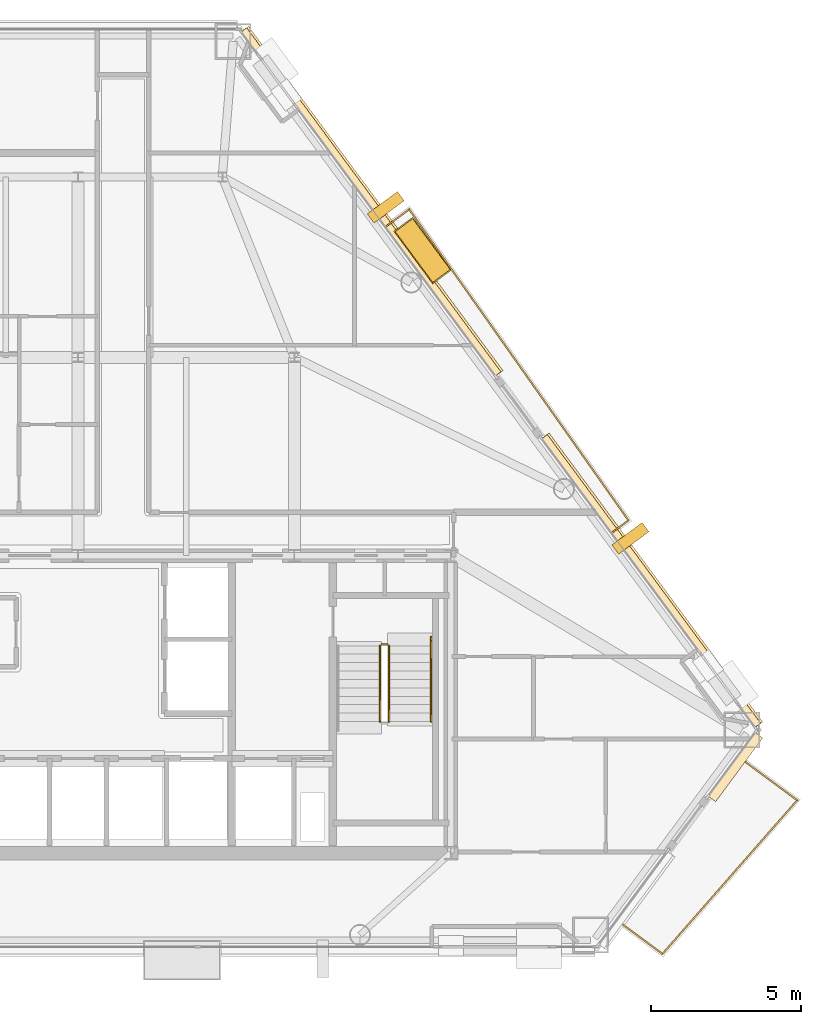
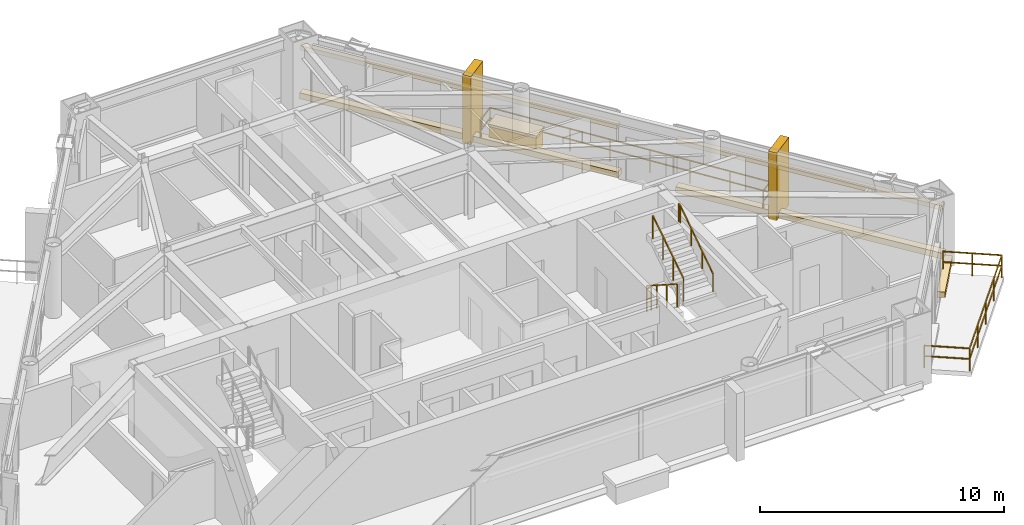
# One storey, part 13 of 13: 9 coverings, 6 railings.
"""IFC4 building model written with IfcOpenShell, lengths in metres."""

from ifc_helpers import new_model, si_unit, direction, frame, origin, origin_2d, place, context, subcontext, project, spatial, rectangle, extrude, material, layer, layer_set, type_object, element, save


model = new_model("IFC4")

# Units and contexts
model_context = context("Model", 3, precision=1e-05, world=origin(), true_north=direction((0.0, 1.0)))
body_context = subcontext(model_context, "Body", "Model", "MODEL_VIEW")
ifc_project = project(units=[si_unit("LENGTHUNIT", "METRE"), si_unit("AREAUNIT", "SQUARE_METRE"), si_unit("VOLUMEUNIT", "CUBIC_METRE"), si_unit("PLANEANGLEUNIT", "RADIAN"), si_unit("MASSUNIT", "GRAM", prefix="KILO")], contexts=[model_context])

# Site, building, storey
site_placement = place(None, origin())
site = spatial("IfcSite", under=ifc_project, at=site_placement, CompositionType="ELEMENT")
building_placement = place(site_placement, origin())
building = spatial("IfcBuilding", under=site, at=building_placement, Name="Talgorran Terracotta Tower", CompositionType="ELEMENT")
storey_placement = place(building_placement, frame((0.0, 0.0, 132.89990234375)))
storey = spatial("IfcBuildingStorey", under=building, at=storey_placement, Name="L34", CompositionType="ELEMENT", Elevation=132.89990234375)

# Coverings
ifc_material_1 = material(Name="Kiln-Fired Terracotta Ochre Ceramic", Category="masonry")
ifc_layer_1 = layer(ifc_material_1, 0.179931640625, Name="COV_BAGUETTE_TERRACOTTA_SCREEN")
ifc_layer_set_1 = layer_set([ifc_layer_1], Name="Kiln-Fired Terracotta Ochre Ceramic")
covering_type_1 = type_object("IfcCoveringType", Name="COV_BAGUETTE_TERRACOTTA_SCREEN", PredefinedType="CLADDING", material=ifc_layer_set_1)
covering_1_placement = place(storey_placement, frame((19.060546875, -5.05126953125, 2.41015625), z_axis=(0.0, 0.0, 1.0), x_axis=(-0.594359699802, 0.804199320598, 0.0)))
element("IfcCovering", 1, at=covering_1_placement, inside=storey, type_object=covering_type_1, Name="L34 Terracotta Baguette Solar Screen Assembly F40", PredefinedType="CLADDING", context=body_context, shape_type="SweptSolid", body=[
    extrude(rectangle(XDim=11.939697265625, YDim=0.260009765625, at=origin_2d()), origin(), (0.0, 0.0, 1.0), 0.219970703125),
])
covering_2_placement = place(storey_placement, frame((9.738037109375, 7.5625, 2.41015625), z_axis=(0.0, 0.0, 1.0), x_axis=(-0.594359699802, 0.804199320598, 0.0)))
element("IfcCovering", 2, at=covering_2_placement, inside=storey, type_object=covering_type_1, Name="L34 Terracotta Baguette Solar Screen Assembly F41", PredefinedType="CLADDING", context=body_context, shape_type="SweptSolid", body=[
    extrude(rectangle(XDim=14.230224609375, YDim=0.260009765625, at=origin_2d()), origin(), (0.0, 0.0, 1.0), 0.219970703125),
])
ifc_material_2 = material(Name="Honed Limestone and Terracotta Planter", Category="masonry")
ifc_layer_2 = layer(ifc_material_2, 0.1201171875, Name="COV_PLANTER_BOX")
ifc_layer_set_2 = layer_set([ifc_layer_2], Name="Honed Limestone and Terracotta Planter")
covering_type_2 = type_object("IfcCoveringType", Name="COV_PLANTER_BOX", PredefinedType="CLADDING", material=ifc_layer_set_2)
covering_3_placement = place(storey_placement, frame((11.46875, 5.95263671875, -0.02001953125), z_axis=(0.0, 0.0, 1.0), x_axis=(-0.594359699802, 0.804199320598, 0.0)))
element("IfcCovering", 3, at=covering_3_placement, inside=storey, type_object=covering_type_2, Name="L34 Staggered Balcony Planter Box BAL-NE", PredefinedType="CLADDING", context=body_context, shape_type="SweptSolid", body=[
    extrude(rectangle(XDim=2.10009765625, YDim=0.719970703125, at=origin_2d()), origin(), (0.0, 0.0, 1.0), 0.860107421875),
])
ifc_material_3 = material(Name="Kiln-Fired Terracotta Planter Rim", Category="masonry")
ifc_layer_3 = layer(ifc_material_3, 0.10009765625, Name="COV_PLANTER_RIM")
ifc_layer_set_3 = layer_set([ifc_layer_3], Name="Kiln-Fired Terracotta Planter Rim")
covering_type_3 = type_object("IfcCoveringType", Name="COV_PLANTER_RIM", PredefinedType="CLADDING", material=ifc_layer_set_3)
covering_4_placement = place(storey_placement, frame((11.46875, 5.95263671875, 0.800048828125), z_axis=(0.0, 0.0, 1.0), x_axis=(-0.594359699802, 0.804199320598, 0.0)))
element("IfcCovering", 4, at=covering_4_placement, inside=storey, type_object=covering_type_3, Name="L34 Balcony Planter Terracotta Rim BAL-NE", PredefinedType="CLADDING", context=body_context, shape_type="SweptSolid", body=[
    extrude(rectangle(XDim=2.179931640625, YDim=0.780029296875, at=origin_2d()), origin(), (0.0, 0.0, 1.0), 0.1201171875),
])
ifc_material_4 = material(Name="Honed Limestone Cladding", Category="masonry")
ifc_layer_4 = layer(ifc_material_4, 0.094970703125, Name="COV_PORTAL_LIME")
ifc_layer_set_4 = layer_set([ifc_layer_4], Name="Honed Limestone Cladding")
covering_type_4 = type_object("IfcCoveringType", Name="COV_PORTAL_LIME", PredefinedType="CLADDING", material=ifc_layer_set_4)
covering_5_placement = place(storey_placement, frame((21.863037109375, -11.224365234375, -0.0400390625), z_axis=(0.0, 0.0, 1.0), x_axis=(0.594373735638, 0.804188946942, 0.0)))
element("IfcCovering", 5, at=covering_5_placement, inside=storey, type_object=covering_type_4, Name="L34 Striped Postmodern Portal Cladding Band F31", PredefinedType="CLADDING", context=body_context, shape_type="SweptSolid", body=[
    extrude(rectangle(XDim=2.63720703125, YDim=0.340087890625, at=origin_2d()), origin(), (0.0, 0.0, 1.0), 0.300048828125),
])
covering_6_placement = place(storey_placement, frame((19.0927734375, -5.027587890625, -0.0400390625), z_axis=(0.0, 0.0, 1.0), x_axis=(-0.594359699802, 0.804199320598, 0.0)))
element("IfcCovering", 6, at=covering_6_placement, inside=storey, type_object=covering_type_4, Name="L34 Striped Postmodern Portal Cladding Band F40", PredefinedType="CLADDING", context=body_context, shape_type="SweptSolid", body=[
    extrude(rectangle(XDim=11.959716796875, YDim=0.340087890625, at=origin_2d()), origin(), (0.0, 0.0, 1.0), 0.300048828125),
])
covering_7_placement = place(storey_placement, frame((9.770263671875, 7.586181640625, -0.0400390625), z_axis=(0.0, 0.0, 1.0), x_axis=(-0.594359699802, 0.804199320598, 0.0)))
element("IfcCovering", 7, at=covering_7_placement, inside=storey, type_object=covering_type_4, Name="L34 Striped Postmodern Portal Cladding Band F41", PredefinedType="CLADDING", context=body_context, shape_type="SweptSolid", body=[
    extrude(rectangle(XDim=14.250244140625, YDim=0.340087890625, at=origin_2d()), origin(), (0.0, 0.0, 1.0), 0.300048828125),
])
covering_8_placement = place(storey_placement, frame((10.238525390625, 7.389892578125, -0.0498046875), z_axis=(0.0, 0.0, 1.0), x_axis=(-0.594359699802, 0.804199320598, 0.0)))
element("IfcCovering", 8, at=covering_8_placement, inside=storey, type_object=covering_type_4, Name="L34 White Striped Portal Fin F3-2", PredefinedType="CLADDING", context=body_context, shape_type="SweptSolid", body=[
    extrude(rectangle(XDim=0.3798828125, YDim=1.25, at=origin_2d()), origin(), (0.0, 0.0, 1.0), 3.39990234375),
])
ifc_material_5 = material(Name="Kiln-Fired Terracotta Cladding", Category="masonry")
ifc_layer_5 = layer(ifc_material_5, 0.090087890625, Name="COV_PORTAL_TERRA")
ifc_layer_set_5 = layer_set([ifc_layer_5], Name="Kiln-Fired Terracotta Cladding")
covering_type_5 = type_object("IfcCoveringType", Name="COV_PORTAL_TERRA", PredefinedType="CLADDING", material=ifc_layer_set_5)
covering_9_placement = place(storey_placement, frame((18.37841796875, -3.623779296875, -0.0498046875), z_axis=(0.0, 0.0, 1.0), x_axis=(-0.594359699802, 0.804199320598, 0.0)))
element("IfcCovering", 9, at=covering_9_placement, inside=storey, type_object=covering_type_5, Name="L34 Terracotta Striped Portal Fin F3-1", PredefinedType="CLADDING", context=body_context, shape_type="SweptSolid", body=[
    extrude(rectangle(XDim=0.3798828125, YDim=1.25, at=origin_2d()), origin(), (0.0, 0.0, 1.0), 3.39990234375),
])

# Railings
ifc_material_6 = material(Name="Laminated Glass and Stainless Steel 316", Category="steel")
railing_type_1 = type_object("IfcRailingType", Name="RL_BALCONY_1150", PredefinedType="BALUSTRADE", material=ifc_material_6)
railing_1_placement = place(storey_placement, frame((17.765625, -3.433837890625, 0.0)))
element("IfcRailing", 10, at=railing_1_placement, inside=storey, type_object=railing_type_1, Name="RL-L34-BAL-BAL-NE", PredefinedType="BALUSTRADE", context=body_context, shape_type="SweptSolid", body=[
    extrude(rectangle(XDim=0.048095703125, YDim=0.048095703125, at=origin_2d()), frame((0.0, 0.0, 1.1259765625), z_axis=(0.804257631428, 0.594280794145, 0.0), x_axis=(-0.594280794145, 0.804257631428, 0.0)), (0.0, 0.0, 1.0), 0.684814453125),
    extrude(rectangle(XDim=0.048095703125, YDim=0.048095703125, at=origin_2d()), frame((0.0, 0.0, 0.597900390625), z_axis=(0.804257631428, 0.594280794145, 0.0), x_axis=(-0.594280794145, 0.804257631428, 0.0)), (0.0, 0.0, 1.0), 0.684814453125),
    extrude(rectangle(XDim=0.048095703125, YDim=0.048095703125, at=origin_2d()), frame((0.55078125, 0.406982421875, 1.1259765625), z_axis=(-0.576247164836, 0.817275476824, 0.0), x_axis=(-0.817275476824, -0.576247164836, 0.0)), (0.0, 0.0, 1.0), 12.66455078125),
    extrude(rectangle(XDim=0.048095703125, YDim=0.048095703125, at=origin_2d()), frame((0.55078125, 0.406982421875, 0.597900390625), z_axis=(-0.576247164836, 0.817275476824, 0.0), x_axis=(-0.817275476824, -0.576247164836, 0.0)), (0.0, 0.0, 1.0), 12.66455078125),
    extrude(rectangle(XDim=0.048095703125, YDim=0.048095703125, at=origin_2d()), frame((-6.7470703125, 10.75732421875, 1.1259765625), z_axis=(-0.804218080691, -0.594334315592, 0.0), x_axis=(0.594334315592, -0.804218080691, 0.0)), (0.0, 0.0, 1.0), 0.9677734375),
    extrude(rectangle(XDim=0.048095703125, YDim=0.048095703125, at=origin_2d()), frame((-6.7470703125, 10.75732421875, 0.597900390625), z_axis=(-0.804218080691, -0.594334315592, 0.0), x_axis=(0.594334315592, -0.804218080691, 0.0)), (0.0, 0.0, 1.0), 0.9677734375),
    extrude(rectangle(XDim=0.0419921875, YDim=0.0419921875, at=origin_2d()), origin(), (0.0, 0.0, 1.0), 1.101806640625),
    extrude(rectangle(XDim=0.0419921875, YDim=0.0419921875, at=origin_2d()), frame((0.55078125, 0.406982421875, 0.0)), (0.0, 0.0, 1.0), 1.101806640625),
    extrude(rectangle(XDim=0.0419921875, YDim=0.0419921875, at=origin_2d()), frame((-0.49169921875, 1.885498046875, 0.0)), (0.0, 0.0, 1.0), 1.101806640625),
    extrude(rectangle(XDim=0.0419921875, YDim=0.0419921875, at=origin_2d()), frame((-1.534423828125, 3.3642578125, 0.0)), (0.0, 0.0, 1.0), 1.101806640625),
    extrude(rectangle(XDim=0.0419921875, YDim=0.0419921875, at=origin_2d()), frame((-2.576904296875, 4.8427734375, 0.0)), (0.0, 0.0, 1.0), 1.101806640625),
    extrude(rectangle(XDim=0.0419921875, YDim=0.0419921875, at=origin_2d()), frame((-3.619384765625, 6.321533203125, 0.0)), (0.0, 0.0, 1.0), 1.101806640625),
    extrude(rectangle(XDim=0.0419921875, YDim=0.0419921875, at=origin_2d()), frame((-4.661865234375, 7.800048828125, 0.0)), (0.0, 0.0, 1.0), 1.101806640625),
    extrude(rectangle(XDim=0.0419921875, YDim=0.0419921875, at=origin_2d()), frame((-5.70458984375, 9.27880859375, 0.0)), (0.0, 0.0, 1.0), 1.101806640625),
    extrude(rectangle(XDim=0.0419921875, YDim=0.0419921875, at=origin_2d()), frame((-6.7470703125, 10.75732421875, 0.0)), (0.0, 0.0, 1.0), 1.101806640625),
    extrude(rectangle(XDim=0.0419921875, YDim=0.0419921875, at=origin_2d()), frame((-7.525390625, 10.18212890625, 0.0)), (0.0, 0.0, 1.0), 1.101806640625),
])
railing_2_placement = place(storey_placement, frame((17.93701171875, -16.33447265625, 0.0)))
element("IfcRailing", 11, at=railing_2_placement, inside=storey, type_object=railing_type_1, Name="RL-L34-BAL-BAL-SE", PredefinedType="BALUSTRADE", context=body_context, shape_type="SweptSolid", body=[
    extrude(rectangle(XDim=0.048095703125, YDim=0.048095703125, at=origin_2d()), frame((0.0, 0.0, 1.1259765625), z_axis=(0.804192351685, -0.594369128986, 0.0), x_axis=(0.594369128986, 0.804192351685, 0.0)), (0.0, 0.0, 1.0), 1.8779296875),
    extrude(rectangle(XDim=0.048095703125, YDim=0.048095703125, at=origin_2d()), frame((0.0, 0.0, 0.597900390625), z_axis=(0.804192351685, -0.594369128986, 0.0), x_axis=(0.594369128986, 0.804192351685, 0.0)), (0.0, 0.0, 1.0), 1.8779296875),
    extrude(rectangle(XDim=0.048095703125, YDim=0.048095703125, at=origin_2d()), frame((1.51025390625, -1.1162109375, 1.1259765625), z_axis=(0.659170403029, 0.751993603543, 0.0), x_axis=(-0.751993603543, 0.659170403029, 0.0)), (0.0, 0.0, 1.0), 6.799072265625),
    extrude(rectangle(XDim=0.048095703125, YDim=0.048095703125, at=origin_2d()), frame((1.51025390625, -1.1162109375, 0.597900390625), z_axis=(0.659170403029, 0.751993603543, 0.0), x_axis=(-0.751993603543, 0.659170403029, 0.0)), (0.0, 0.0, 1.0), 6.799072265625),
    extrude(rectangle(XDim=0.048095703125, YDim=0.048095703125, at=origin_2d()), frame((5.991943359375, 3.99658203125, 1.1259765625), z_axis=(-0.804201061075, 0.59435734484, 0.0), x_axis=(-0.59435734484, -0.804201061075, 0.0)), (0.0, 0.0, 1.0), 2.443115234375),
    extrude(rectangle(XDim=0.048095703125, YDim=0.048095703125, at=origin_2d()), frame((5.991943359375, 3.99658203125, 0.597900390625), z_axis=(-0.804201061075, 0.59435734484, 0.0), x_axis=(-0.59435734484, -0.804201061075, 0.0)), (0.0, 0.0, 1.0), 2.443115234375),
    extrude(rectangle(XDim=0.0419921875, YDim=0.0419921875, at=origin_2d()), origin(), (0.0, 0.0, 1.0), 1.101806640625),
    extrude(rectangle(XDim=0.0419921875, YDim=0.0419921875, at=origin_2d()), frame((1.51025390625, -1.1162109375, 0.0)), (0.0, 0.0, 1.0), 1.101806640625),
    extrude(rectangle(XDim=0.0419921875, YDim=0.0419921875, at=origin_2d()), frame((2.630615234375, 0.162109375, 0.0)), (0.0, 0.0, 1.0), 1.101806640625),
    extrude(rectangle(XDim=0.0419921875, YDim=0.0419921875, at=origin_2d()), frame((3.7509765625, 1.440185546875, 0.0)), (0.0, 0.0, 1.0), 1.101806640625),
    extrude(rectangle(XDim=0.0419921875, YDim=0.0419921875, at=origin_2d()), frame((4.87158203125, 2.71826171875, 0.0)), (0.0, 0.0, 1.0), 1.101806640625),
    extrude(rectangle(XDim=0.0419921875, YDim=0.0419921875, at=origin_2d()), frame((5.991943359375, 3.99658203125, 0.0)), (0.0, 0.0, 1.0), 1.101806640625),
    extrude(rectangle(XDim=0.0419921875, YDim=0.0419921875, at=origin_2d()), frame((5.009521484375, 4.72265625, 0.0)), (0.0, 0.0, 1.0), 1.101806640625),
    extrude(rectangle(XDim=0.0419921875, YDim=0.0419921875, at=origin_2d()), frame((4.027099609375, 5.44873046875, 0.0)), (0.0, 0.0, 1.0), 1.101806640625),
])
ifc_material_7 = material(Name="Steel S355 (300PLUS)", Category="steel")
railing_type_2 = type_object("IfcRailingType", Name="RL_HANDRAIL_920", PredefinedType="HANDRAIL", material=ifc_material_7)
railing_3_placement = place(storey_placement, frame((11.75, -9.719970703125, 1.97998046875)))
element("IfcRailing", 12, at=railing_3_placement, inside=storey, type_object=railing_type_2, Name="L34 ST-02 stair handrail 2", PredefinedType="HANDRAIL", context=body_context, shape_type="SweptSolid", body=[
    extrude(rectangle(XDim=0.048095703125, YDim=0.048095703125, at=origin_2d()), frame((0.0, 0.0, 0.89599609375), z_axis=(0.0, 0.832038719335, 0.554717558338), x_axis=(-1.0, 0.0, 0.0)), (0.0, 0.0, 1.0), 3.244873046875),
    extrude(rectangle(XDim=0.048095703125, YDim=0.048095703125, at=origin_2d()), frame((0.0, 2.699951171875, 2.69580078125), z_axis=(0.0, 1.0, 0.0), x_axis=(-1.0, 0.0, 0.0)), (0.0, 0.0, 1.0), 0.1201171875),
    extrude(rectangle(XDim=0.0419921875, YDim=0.0419921875, at=origin_2d()), origin(), (0.0, 0.0, 1.0), 0.871826171875),
    extrude(rectangle(XDim=0.0419921875, YDim=0.0419921875, at=origin_2d()), frame((0.0, 0.89990234375, 0.60009765625)), (0.0, 0.0, 1.0), 0.871826171875),
    extrude(rectangle(XDim=0.0419921875, YDim=0.0419921875, at=origin_2d()), frame((0.0, 1.800048828125, 1.199951171875)), (0.0, 0.0, 1.0), 0.871826171875),
    extrude(rectangle(XDim=0.0419921875, YDim=0.0419921875, at=origin_2d()), frame((0.0, 2.699951171875, 1.800048828125)), (0.0, 0.0, 1.0), 0.871826171875),
    extrude(rectangle(XDim=0.0419921875, YDim=0.0419921875, at=origin_2d()), frame((0.0, 2.820068359375, 1.800048828125)), (0.0, 0.0, 1.0), 0.871826171875),
])
railing_type_3 = type_object("IfcRailingType", Name="RL_STAIR_GUARD", PredefinedType="GUARDRAIL", material=ifc_material_7)
railing_4_placement = place(storey_placement, frame((10.050048828125, -7.199951171875, 0.18017578125)))
element("IfcRailing", 13, at=railing_4_placement, inside=storey, type_object=railing_type_3, Name="L34 ST-02 stair guard 1", PredefinedType="GUARDRAIL", context=body_context, shape_type="SweptSolid", body=[
    extrude(rectangle(XDim=0.048095703125, YDim=0.048095703125, at=origin_2d()), frame((0.0, 0.0, 1.15576171875), z_axis=(0.0, -0.841199657755, 0.540724639528), x_axis=(1.0, 0.0, 0.0)), (0.0, 0.0, 1.0), 2.995849609375),
    extrude(rectangle(XDim=0.0419921875, YDim=0.0419921875, at=origin_2d()), origin(), (0.0, 0.0, 1.0), 1.1318359375),
    extrude(rectangle(XDim=0.0419921875, YDim=0.0419921875, at=origin_2d()), frame((0.0, -0.840087890625, 0.5400390625)), (0.0, 0.0, 1.0), 1.1318359375),
    extrude(rectangle(XDim=0.0419921875, YDim=0.0419921875, at=origin_2d()), frame((0.0, -1.679931640625, 1.079833984375)), (0.0, 0.0, 1.0), 1.1318359375),
    extrude(rectangle(XDim=0.0419921875, YDim=0.0419921875, at=origin_2d()), frame((0.0, -2.52001953125, 1.619873046875)), (0.0, 0.0, 1.0), 1.1318359375),
])
railing_5_placement = place(storey_placement, frame((10.35009765625, -9.719970703125, 1.97998046875)))
element("IfcRailing", 14, at=railing_5_placement, inside=storey, type_object=railing_type_3, Name="L34 ST-02 stair guard 3", PredefinedType="GUARDRAIL", context=body_context, shape_type="SweptSolid", body=[
    extrude(rectangle(XDim=0.048095703125, YDim=0.048095703125, at=origin_2d()), frame((0.0, 0.0, 1.15576171875), z_axis=(0.0, 0.841162588446, 0.540782303519), x_axis=(-1.0, 0.0, 0.0)), (0.0, 0.0, 1.0), 2.995849609375),
    extrude(rectangle(XDim=0.0419921875, YDim=0.0419921875, at=origin_2d()), origin(), (0.0, 0.0, 1.0), 1.1318359375),
    extrude(rectangle(XDim=0.0419921875, YDim=0.0419921875, at=origin_2d()), frame((0.0, 0.840087890625, 0.5400390625)), (0.0, 0.0, 1.0), 1.1318359375),
    extrude(rectangle(XDim=0.0419921875, YDim=0.0419921875, at=origin_2d()), frame((0.0, 1.679931640625, 1.080078125)), (0.0, 0.0, 1.0), 1.1318359375),
    extrude(rectangle(XDim=0.0419921875, YDim=0.0419921875, at=origin_2d()), frame((0.0, 2.52001953125, 1.6201171875)), (0.0, 0.0, 1.0), 1.1318359375),
])
railing_6_placement = place(storey_placement, frame((10.10009765625, -7.14990234375, 0.0)))
element("IfcRailing", 15, at=railing_6_placement, inside=storey, type_object=railing_type_3, Name="L34 ST-02 stair guard 4", PredefinedType="GUARDRAIL", context=body_context, shape_type="SweptSolid", body=[
    extrude(rectangle(XDim=0.048095703125, YDim=0.048095703125, at=origin_2d()), frame((0.0, 0.0, 1.15576171875), z_axis=(1.0, 0.0, 0.0), x_axis=(0.0, 1.0, 0.0)), (0.0, 0.0, 1.0), 0.199951171875),
    extrude(rectangle(XDim=0.048095703125, YDim=0.048095703125, at=origin_2d()), frame((0.0, 0.0, 0.613525390625), z_axis=(1.0, 0.0, 0.0), x_axis=(0.0, 1.0, 0.0)), (0.0, 0.0, 1.0), 0.199951171875),
    extrude(rectangle(XDim=0.0419921875, YDim=0.0419921875, at=origin_2d()), origin(), (0.0, 0.0, 1.0), 1.1318359375),
    extrude(rectangle(XDim=0.0419921875, YDim=0.0419921875, at=origin_2d()), frame((0.199951171875, 0.0, 0.0)), (0.0, 0.0, 1.0), 1.1318359375),
])

save(model, "model.ifc")
